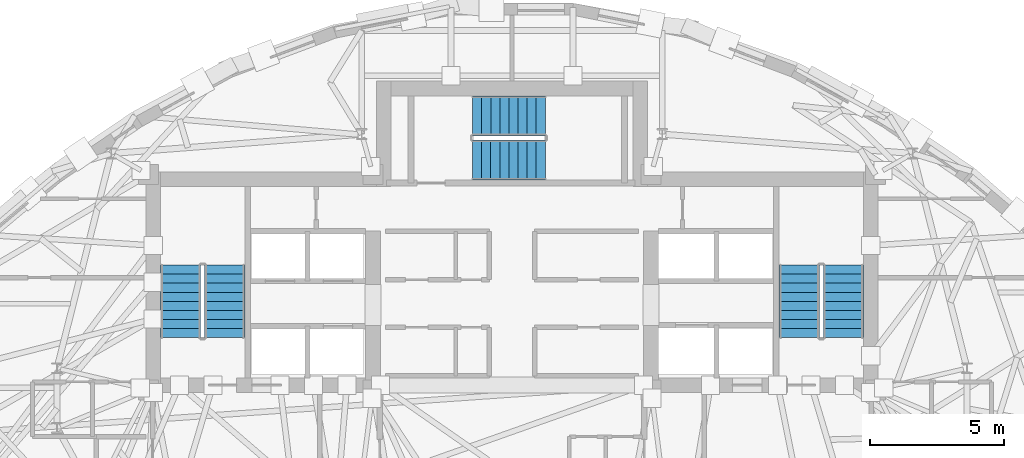
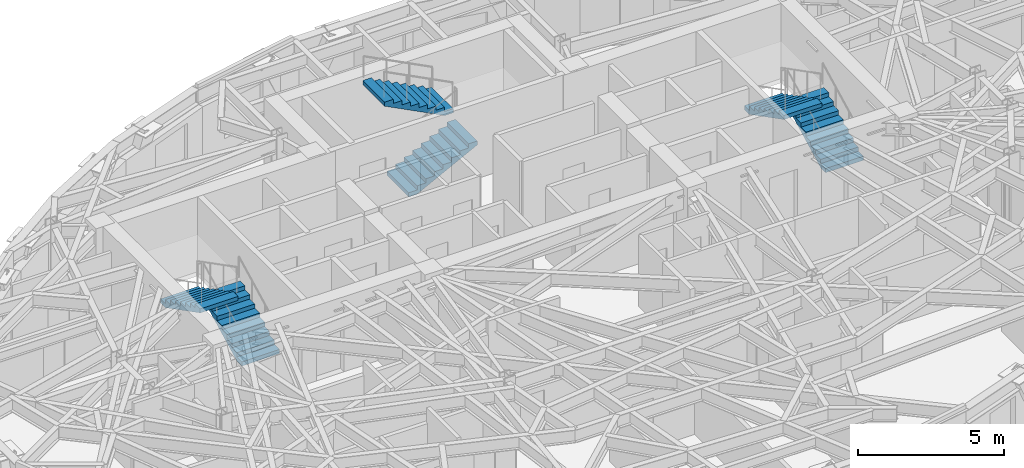
# One storey, part 11 of 14: 6 stair flights, 3 elements without a shape of their own.
"""IFC4 building model written with IfcOpenShell, lengths in metres."""

import ifcopenshell
import ifcopenshell.guid

model = None  # the IFC model being written
_history = None  # IfcOwnerHistory: only IFC2X3 demands one
_inside = {}  # id of a spatial element -> (the spatial element, [elements in it])
_under = {}  # id of a project, library or spatial element -> (it, [spatial elements below it])
_declared = {}  # id of a project -> (the project, [libraries it declares])
_typed = {}  # id of a type object -> (the type object, [elements of that type])
_made_of = {}  # id of a material, layer set ... -> (it, [elements and type objects made of it])


def new_model(schema):
    """Start an empty IFC model of exactly this schema.

    Asked for "IFC4X3", IfcOpenShell would pick the latest addendum, in which some entities
    have other attributes; the version numbers below select the first issue.
    IFC2X3 requires an IfcOwnerHistory on every rooted entity: one is made here for all.
    """
    global model, _history
    if schema == "IFC4X3":
        model = ifcopenshell.file(schema_version=(4, 3, 0, 0))
    else:
        model = ifcopenshell.file(schema=schema)
    _inside.clear()
    _under.clear()
    _declared.clear()
    _typed.clear()
    _made_of.clear()
    _history = None
    if model.schema == "IFC2X3":
        org = make("IfcOrganization", Name="unknown")
        user = make(
            "IfcPersonAndOrganization",
            ThePerson=make("IfcPerson", FamilyName="unknown"),
            TheOrganization=org,
        )
        app = make(
            "IfcApplication",
            ApplicationDeveloper=org,
            Version="unknown",
            ApplicationFullName="unknown",
            ApplicationIdentifier="unknown",
        )
        _history = make(
            "IfcOwnerHistory",
            OwningUser=user,
            OwningApplication=app,
            ChangeAction="ADDED",
            CreationDate=0,
        )
    return model


def make(cls, **values):
    """One entity of the class cls with the attributes given. An attribute that is None is left unset."""
    return model.create_entity(
        cls, **{name: value for name, value in values.items() if value is not None}
    )


def rooted(cls, **values):
    """An entity with a GlobalId (a new one), such as an element, a storey or a relation."""
    return make(cls, GlobalId=ifcopenshell.guid.new(), OwnerHistory=_history, **values)


def si_unit(unit_type, name, prefix=None):
    """IfcSIUnit, for example si_unit("LENGTHUNIT", "METRE", prefix="MILLI")."""
    return make("IfcSIUnit", UnitType=unit_type, Prefix=prefix, Name=name)


def assignment(units):
    """IfcUnitAssignment: the units of a project."""
    return None if units is None else make("IfcUnitAssignment", Units=units)


def point(xyz):
    """IfcCartesianPoint."""
    return None if xyz is None else make("IfcCartesianPoint", Coordinates=xyz)


def direction(xyz):
    """IfcDirection."""
    return None if xyz is None else make("IfcDirection", DirectionRatios=xyz)


def frame(location, z_axis=None, x_axis=None):
    """IfcAxis2Placement3D, a coordinate frame: its origin and axes. An axis left out is left unset."""
    return make(
        "IfcAxis2Placement3D",
        Location=point(location),
        Axis=direction(z_axis),
        RefDirection=direction(x_axis),
    )


def origin():
    """The frame at (0, 0, 0) with its axes left unset."""
    return frame((0.0, 0.0, 0.0))


def place(relative_to, where):
    """IfcLocalPlacement: puts the frame where relative to a parent placement (None: the world)."""
    return make(
        "IfcLocalPlacement", PlacementRelTo=relative_to, RelativePlacement=where
    )


def context(
    kind, dimensions, precision=None, world=None, true_north=None, identifier=None
):
    """IfcGeometricRepresentationContext, for example the 3D "Model" context."""
    return make(
        "IfcGeometricRepresentationContext",
        ContextIdentifier=identifier,
        ContextType=kind,
        CoordinateSpaceDimension=dimensions,
        Precision=precision,
        WorldCoordinateSystem=world,
        TrueNorth=true_north,
    )


def subcontext(parent, identifier, kind, view, scale=None):
    """IfcGeometricRepresentationSubContext, for example "Body" below "Model"."""
    return make(
        "IfcGeometricRepresentationSubContext",
        ContextIdentifier=identifier,
        ContextType=kind,
        ParentContext=parent,
        TargetScale=scale,
        TargetView=view,
    )


def project(units=None, contexts=None):
    """IfcProject with its units and contexts."""
    return rooted(
        "IfcProject",
        Name="project",
        RepresentationContexts=contexts,
        UnitsInContext=assignment(units),
    )


def spatial(cls, under=None, at=None, **own):
    """A site, building, storey or space (cls), placed at a placement, below another one or the project."""
    s = rooted(cls, ObjectPlacement=at, **own)
    if under is not None:
        _under.setdefault(under.id(), (under, []))[1].append(s)
    return s


def polyline(points):
    """IfcPolyline through the points."""
    return make("IfcPolyline", Points=[point(p) for p in points])


def outline(outer, holes=None, kind="AREA"):
    """IfcArbitraryClosedProfileDef: a profile drawn as a closed curve; with holes, ...WithVoids."""
    if holes is None:
        return make("IfcArbitraryClosedProfileDef", ProfileType=kind, OuterCurve=outer)
    return make(
        "IfcArbitraryProfileDefWithVoids",
        ProfileType=kind,
        OuterCurve=outer,
        InnerCurves=holes,
    )


def extrude(swept, where, along, depth):
    """IfcExtrudedAreaSolid: the profile swept, set in the frame where, extruded along a direction by depth."""
    return make(
        "IfcExtrudedAreaSolid",
        SweptArea=swept,
        Position=where,
        ExtrudedDirection=direction(along),
        Depth=depth,
    )


def shape(context_of_items, identifier, shape_type, items):
    """IfcShapeRepresentation: the items that make up one representation, for example the "Body"."""
    return make(
        "IfcShapeRepresentation",
        ContextOfItems=context_of_items,
        RepresentationIdentifier=identifier,
        RepresentationType=shape_type,
        Items=items,
    )


def material(Name=None, Category=None):
    """IfcMaterial."""
    return make("IfcMaterial", Name=Name, Category=Category)


def made_of(thing, what):
    """Note that an element or type object is made of a material, layer set ...; save() writes the relation."""
    if what is not None:
        _made_of.setdefault(what.id(), (what, []))[1].append(thing)
    return thing


def type_object(cls, material=None, **own):
    """A type object (cls), such as IfcWallType, which elements share."""
    return made_of(rooted(cls, **own), material)


def element(
    cls,
    number,
    at=None,
    inside=None,
    cuts=None,
    type_object=None,
    material=None,
    context=None,
    identifier="Body",
    shape_type=None,
    held_by="IfcProductDefinitionShape",
    body=None,
    shapes=None,
    **own,
):
    """One element of the class cls, such as IfcWall. Its Tag is "e" and its number.

    at: its placement. inside: the storey or other place that contains it. cuts: it is an
    opening in that element (IfcRelVoidsElement). A single representation is given by context,
    identifier, shape_type and body (its items); several are given by shapes. held_by: the class
    of the entity that holds the representations. save() writes the other relations.
    """
    e = rooted(cls, Tag="e%d" % number, ObjectPlacement=at, **own)
    if body is not None:
        shapes = [shape(context, identifier, shape_type, body)]
    if shapes is not None:
        e.Representation = make(held_by, Representations=shapes)
    if inside is not None:
        _inside.setdefault(inside.id(), (inside, []))[1].append(e)
    if cuts is not None:
        rooted(
            "IfcRelVoidsElement", RelatingBuildingElement=cuts, RelatedOpeningElement=e
        )
    if type_object is not None:
        _typed.setdefault(type_object.id(), (type_object, []))[1].append(e)
    return made_of(e, material)


def aggregate(whole, parts):
    """IfcRelAggregates: a whole, such as a stair, and the parts it consists of."""
    return rooted("IfcRelAggregates", RelatingObject=whole, RelatedObjects=parts)


def save(model, path):
    """Write the relations noted so far, then the file.

    IfcRelAggregates (storeys below a building ...), IfcRelContainedInSpatialStructure (elements
    in a storey), IfcRelDefinesByType, IfcRelAssociatesMaterial and IfcRelDeclares: one each for
    every whole, place, type object, material and project.
    """
    for whole, parts in _under.values():
        aggregate(whole, parts)
    for where, things in _inside.values():
        rooted(
            "IfcRelContainedInSpatialStructure",
            RelatedElements=things,
            RelatingStructure=where,
        )
    for kind, things in _typed.values():
        rooted("IfcRelDefinesByType", RelatedObjects=things, RelatingType=kind)
    for what, things in _made_of.values():
        rooted("IfcRelAssociatesMaterial", RelatedObjects=things, RelatingMaterial=what)
    for by, libraries in _declared.values():
        rooted("IfcRelDeclares", RelatingContext=by, RelatedDefinitions=libraries)
    model.write(path)


model = new_model("IFC4")

# Units and contexts
model_context = context("Model", 3, precision=1e-05, world=origin(), true_north=direction((0.0, 1.0)))
body_context = subcontext(model_context, "Body", "Model", "MODEL_VIEW")
ifc_project = project(units=[si_unit("LENGTHUNIT", "METRE"), si_unit("AREAUNIT", "SQUARE_METRE"), si_unit("VOLUMEUNIT", "CUBIC_METRE"), si_unit("PLANEANGLEUNIT", "RADIAN"), si_unit("MASSUNIT", "GRAM", prefix="KILO")], contexts=[model_context])

# Site, building, storey
site_placement = place(None, origin())
site = spatial("IfcSite", under=ifc_project, at=site_placement, CompositionType="ELEMENT")
building_placement = place(site_placement, origin())
building = spatial("IfcBuilding", under=site, at=building_placement, Name="Keldmark Tower", CompositionType="ELEMENT")
storey_placement = place(building_placement, frame((0.0, 0.0, 216.300048828125)))
storey = spatial("IfcBuildingStorey", under=building, at=storey_placement, Name="L60", CompositionType="ELEMENT", Elevation=216.300048828125)

# Stair, stair flights
ifc_material_1 = material(Name="Concrete C40/50", Category="concrete")
stair_type = type_object("IfcStairType", Name="Precast Concrete Core Exit Stair", PredefinedType="HALF_TURN_STAIR", material=ifc_material_1)
stair_1_placement = place(storey_placement, origin())
stair_1 = element("IfcStair", 1, at=stair_1_placement, inside=storey, type_object=stair_type, Name="L60 Exit Stair ST1", PredefinedType="HALF_TURN_STAIR")
ifc_material_2 = material(Name="Concrete C40/50", Category="concrete")
stair_flight_type = type_object("IfcStairFlightType", Name="Precast Concrete Stair Flight 1500 mm", PredefinedType="STRAIGHT", material=ifc_material_2)
stair_flight_1_placement = place(storey_placement, frame((-10.75, 3.35009765625, 0.0), z_axis=(0.0, 0.0, 1.0), x_axis=(0.0, 1.0, 0.0)))
stair_flight_1 = element("IfcStairFlight", 2, at=stair_flight_1_placement, type_object=stair_flight_type, Name="ST1 flight 1", NumberOfRisers=9, NumberOfTreads=8, PredefinedType="STRAIGHT", RiserHeight=0.175, TreadLength=0.34, context=body_context, shape_type="SweptSolid", body=[
    extrude(outline(polyline([(0.0, 0.0), (0.0, 0.175048828125), (0.340087890625, 0.175048828125), (0.340087890625, 0.35009765625), (0.679931640625, 0.35009765625), (0.679931640625, 0.52490234375), (1.02001953125, 0.52490234375), (1.02001953125, 0.699951171875), (1.360107421875, 0.699951171875), (1.360107421875, 0.875), (1.699951171875, 0.875), (1.699951171875, 1.050048828125), (2.0400390625, 1.050048828125), (2.0400390625, 1.22509765625), (2.3798828125, 1.22509765625), (2.3798828125, 1.39990234375), (2.719970703125, 1.39990234375), (2.719970703125, 1.574951171875), (2.719970703125, 1.2314453125), (0.32763671875, 0.0), (0.0, 0.0)])), frame((0.0, 0.75, 0.0), z_axis=(0.0, -1.0, 0.0), x_axis=(1.0, 0.0, 0.0)), (0.0, 0.0, 1.0), 1.5),
])
stair_flight_2_placement = place(storey_placement, frame((-12.39990234375, 6.070068359375, 1.574951171875), z_axis=(0.0, 0.0, 1.0), x_axis=(0.0, -1.0, 0.0)))
stair_flight_2 = element("IfcStairFlight", 3, at=stair_flight_2_placement, type_object=stair_flight_type, Name="ST1 flight 2", NumberOfRisers=9, NumberOfTreads=8, PredefinedType="STRAIGHT", RiserHeight=0.175, TreadLength=0.34, context=body_context, shape_type="SweptSolid", body=[
    extrude(outline(polyline([(0.0, 0.0), (0.0, 0.175048828125), (0.340087890625, 0.175048828125), (0.340087890625, 0.35009765625), (0.679931640625, 0.35009765625), (0.679931640625, 0.52490234375), (1.02001953125, 0.52490234375), (1.02001953125, 0.699951171875), (1.360107421875, 0.699951171875), (1.360107421875, 0.875), (1.699951171875, 0.875), (1.699951171875, 1.050048828125), (2.0400390625, 1.050048828125), (2.0400390625, 1.22509765625), (2.3798828125, 1.22509765625), (2.3798828125, 1.39990234375), (2.719970703125, 1.39990234375), (2.719970703125, 1.574951171875), (2.719970703125, 1.2314453125), (0.32763671875, 0.0), (0.0, 0.0)])), frame((0.0, 0.75, 0.0), z_axis=(0.0, -1.0, 0.0), x_axis=(1.0, 0.0, 0.0)), (0.0, 0.0, 1.0), 1.5),
])
aggregate(stair_1, [stair_flight_1, stair_flight_2])

stair_2_placement = place(storey_placement, origin())
stair_2 = element("IfcStair", 4, at=stair_2_placement, inside=storey, type_object=stair_type, Name="L60 Exit Stair ST2", PredefinedType="HALF_TURN_STAIR")
stair_flight_3_placement = place(storey_placement, frame((12.39990234375, 3.35009765625, 0.0), z_axis=(0.0, 0.0, 1.0), x_axis=(0.0, 1.0, 0.0)))
stair_flight_3 = element("IfcStairFlight", 5, at=stair_flight_3_placement, type_object=stair_flight_type, Name="ST2 flight 1", NumberOfRisers=9, NumberOfTreads=8, PredefinedType="STRAIGHT", RiserHeight=0.175, TreadLength=0.34, context=body_context, shape_type="SweptSolid", body=[
    extrude(outline(polyline([(0.0, 0.0), (0.0, 0.175048828125), (0.340087890625, 0.175048828125), (0.340087890625, 0.35009765625), (0.679931640625, 0.35009765625), (0.679931640625, 0.52490234375), (1.02001953125, 0.52490234375), (1.02001953125, 0.699951171875), (1.360107421875, 0.699951171875), (1.360107421875, 0.875), (1.699951171875, 0.875), (1.699951171875, 1.050048828125), (2.0400390625, 1.050048828125), (2.0400390625, 1.22509765625), (2.3798828125, 1.22509765625), (2.3798828125, 1.39990234375), (2.719970703125, 1.39990234375), (2.719970703125, 1.574951171875), (2.719970703125, 1.2314453125), (0.32763671875, 0.0), (0.0, 0.0)])), frame((0.0, 0.75, 0.0), z_axis=(0.0, -1.0, 0.0), x_axis=(1.0, 0.0, 0.0)), (0.0, 0.0, 1.0), 1.5),
])
stair_flight_4_placement = place(storey_placement, frame((10.75, 6.070068359375, 1.574951171875), z_axis=(0.0, 0.0, 1.0), x_axis=(0.0, -1.0, 0.0)))
stair_flight_4 = element("IfcStairFlight", 6, at=stair_flight_4_placement, type_object=stair_flight_type, Name="ST2 flight 2", NumberOfRisers=9, NumberOfTreads=8, PredefinedType="STRAIGHT", RiserHeight=0.175, TreadLength=0.34, context=body_context, shape_type="SweptSolid", body=[
    extrude(outline(polyline([(0.0, 0.0), (0.0, 0.175048828125), (0.340087890625, 0.175048828125), (0.340087890625, 0.35009765625), (0.679931640625, 0.35009765625), (0.679931640625, 0.52490234375), (1.02001953125, 0.52490234375), (1.02001953125, 0.699951171875), (1.360107421875, 0.699951171875), (1.360107421875, 0.875), (1.699951171875, 0.875), (1.699951171875, 1.050048828125), (2.0400390625, 1.050048828125), (2.0400390625, 1.22509765625), (2.3798828125, 1.22509765625), (2.3798828125, 1.39990234375), (2.719970703125, 1.39990234375), (2.719970703125, 1.574951171875), (2.719970703125, 1.2314453125), (0.32763671875, 0.0), (0.0, 0.0)])), frame((0.0, 0.75, 0.0), z_axis=(0.0, -1.0, 0.0), x_axis=(1.0, 0.0, 0.0)), (0.0, 0.0, 1.0), 1.5),
])
aggregate(stair_2, [stair_flight_3, stair_flight_4])

stair_3_placement = place(storey_placement, origin())
stair_3 = element("IfcStair", 7, at=stair_3_placement, inside=storey, type_object=stair_type, Name="L60 Exit Stair ST3", PredefinedType="HALF_TURN_STAIR")
stair_flight_5_placement = place(storey_placement, frame((-1.47509765625, 10.0, 0.0), z_axis=(0.0, 0.0, 1.0), x_axis=(1.0, 0.0, 0.0)))
stair_flight_5 = element("IfcStairFlight", 8, at=stair_flight_5_placement, type_object=stair_flight_type, Name="ST3 flight 1", NumberOfRisers=9, NumberOfTreads=8, PredefinedType="STRAIGHT", RiserHeight=0.175, TreadLength=0.34, context=body_context, shape_type="SweptSolid", body=[
    extrude(outline(polyline([(0.0, 0.0), (0.0, 0.175048828125), (0.340087890625, 0.175048828125), (0.340087890625, 0.35009765625), (0.679931640625, 0.35009765625), (0.679931640625, 0.52490234375), (1.02001953125, 0.52490234375), (1.02001953125, 0.699951171875), (1.360107421875, 0.699951171875), (1.360107421875, 0.875), (1.699951171875, 0.875), (1.699951171875, 1.050048828125), (2.0400390625, 1.050048828125), (2.0400390625, 1.22509765625), (2.3798828125, 1.22509765625), (2.3798828125, 1.39990234375), (2.719970703125, 1.39990234375), (2.719970703125, 1.574951171875), (2.719970703125, 1.2314453125), (0.32763671875, 0.0), (0.0, 0.0)])), frame((0.0, 0.75, 0.0), z_axis=(0.0, -1.0, 0.0), x_axis=(1.0, 0.0, 0.0)), (0.0, 0.0, 1.0), 1.5),
])
stair_flight_6_placement = place(storey_placement, frame((1.2451171875, 11.64990234375, 1.574951171875), z_axis=(0.0, 0.0, 1.0), x_axis=(-1.0, 0.0, 0.0)))
stair_flight_6 = element("IfcStairFlight", 9, at=stair_flight_6_placement, type_object=stair_flight_type, Name="ST3 flight 2", NumberOfRisers=9, NumberOfTreads=8, PredefinedType="STRAIGHT", RiserHeight=0.175, TreadLength=0.34, context=body_context, shape_type="SweptSolid", body=[
    extrude(outline(polyline([(0.0, 0.0), (0.0, 0.175048828125), (0.340087890625, 0.175048828125), (0.340087890625, 0.35009765625), (0.679931640625, 0.35009765625), (0.679931640625, 0.52490234375), (1.02001953125, 0.52490234375), (1.02001953125, 0.699951171875), (1.360107421875, 0.699951171875), (1.360107421875, 0.875), (1.699951171875, 0.875), (1.699951171875, 1.050048828125), (2.0400390625, 1.050048828125), (2.0400390625, 1.22509765625), (2.3798828125, 1.22509765625), (2.3798828125, 1.39990234375), (2.719970703125, 1.39990234375), (2.719970703125, 1.574951171875), (2.719970703125, 1.2314453125), (0.32763671875, 0.0), (0.0, 0.0)])), frame((0.0, 0.75, 0.0), z_axis=(0.0, -1.0, 0.0), x_axis=(1.0, 0.0, 0.0)), (0.0, 0.0, 1.0), 1.5),
])
aggregate(stair_3, [stair_flight_5, stair_flight_6])

save(model, "model.ifc")
